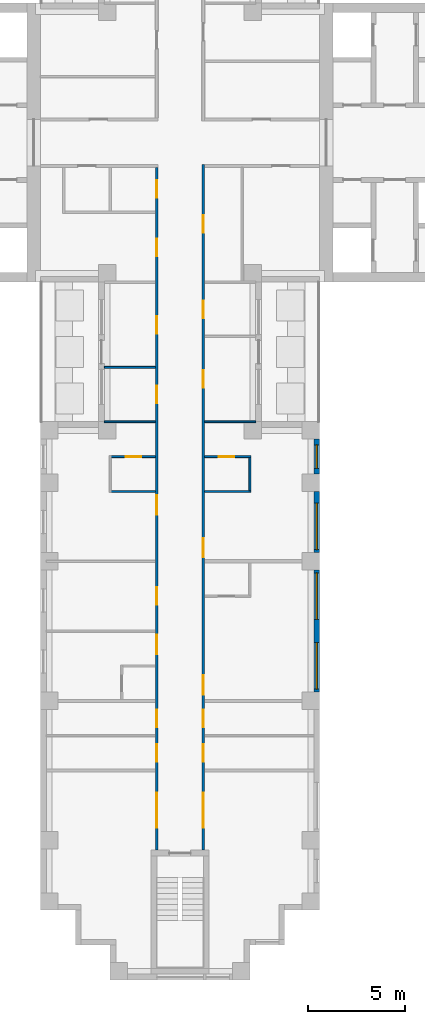
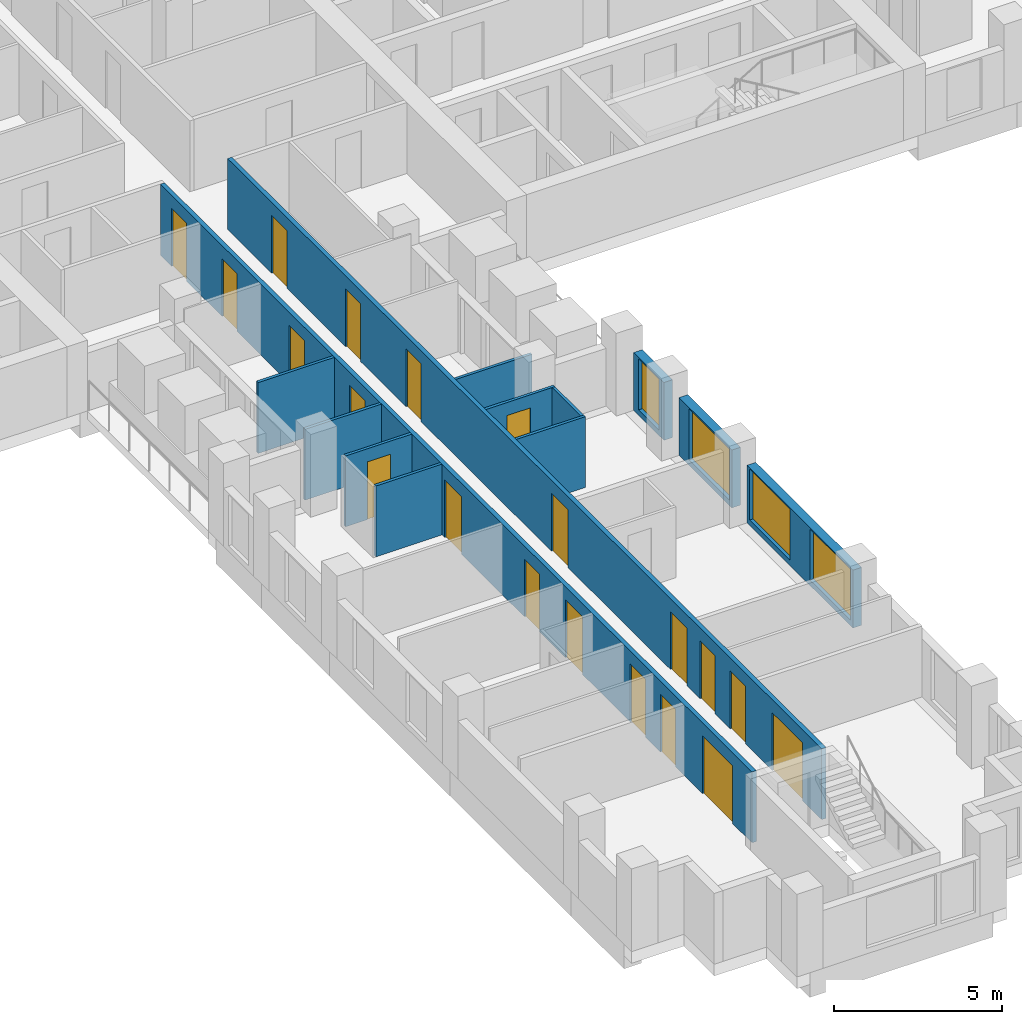
# One storey, part 4 of 15: 20 doors, 13 walls, 4 windows, 24 openings.
"""IFC4 building model written with IfcOpenShell, lengths in metres."""

import ifcopenshell
import ifcopenshell.guid

model = None  # the IFC model being written
_history = None  # IfcOwnerHistory: only IFC2X3 demands one
_inside = {}  # id of a spatial element -> (the spatial element, [elements in it])
_under = {}  # id of a project, library or spatial element -> (it, [spatial elements below it])
_declared = {}  # id of a project -> (the project, [libraries it declares])
_typed = {}  # id of a type object -> (the type object, [elements of that type])
_made_of = {}  # id of a material, layer set ... -> (it, [elements and type objects made of it])


def new_model(schema):
    """Start an empty IFC model of exactly this schema.

    Asked for "IFC4X3", IfcOpenShell would pick the latest addendum, in which some entities
    have other attributes; the version numbers below select the first issue.
    IFC2X3 requires an IfcOwnerHistory on every rooted entity: one is made here for all.
    """
    global model, _history
    if schema == "IFC4X3":
        model = ifcopenshell.file(schema_version=(4, 3, 0, 0))
    else:
        model = ifcopenshell.file(schema=schema)
    _inside.clear()
    _under.clear()
    _declared.clear()
    _typed.clear()
    _made_of.clear()
    _history = None
    if model.schema == "IFC2X3":
        org = make("IfcOrganization", Name="unknown")
        user = make(
            "IfcPersonAndOrganization",
            ThePerson=make("IfcPerson", FamilyName="unknown"),
            TheOrganization=org,
        )
        app = make(
            "IfcApplication",
            ApplicationDeveloper=org,
            Version="unknown",
            ApplicationFullName="unknown",
            ApplicationIdentifier="unknown",
        )
        _history = make(
            "IfcOwnerHistory",
            OwningUser=user,
            OwningApplication=app,
            ChangeAction="ADDED",
            CreationDate=0,
        )
    return model


def make(cls, **values):
    """One entity of the class cls with the attributes given. An attribute that is None is left unset."""
    return model.create_entity(
        cls, **{name: value for name, value in values.items() if value is not None}
    )


def rooted(cls, **values):
    """An entity with a GlobalId (a new one), such as an element, a storey or a relation."""
    return make(cls, GlobalId=ifcopenshell.guid.new(), OwnerHistory=_history, **values)


def si_unit(unit_type, name, prefix=None):
    """IfcSIUnit, for example si_unit("LENGTHUNIT", "METRE", prefix="MILLI")."""
    return make("IfcSIUnit", UnitType=unit_type, Prefix=prefix, Name=name)


def assignment(units):
    """IfcUnitAssignment: the units of a project."""
    return None if units is None else make("IfcUnitAssignment", Units=units)


def point(xyz):
    """IfcCartesianPoint."""
    return None if xyz is None else make("IfcCartesianPoint", Coordinates=xyz)


def direction(xyz):
    """IfcDirection."""
    return None if xyz is None else make("IfcDirection", DirectionRatios=xyz)


def frame(location, z_axis=None, x_axis=None):
    """IfcAxis2Placement3D, a coordinate frame: its origin and axes. An axis left out is left unset."""
    return make(
        "IfcAxis2Placement3D",
        Location=point(location),
        Axis=direction(z_axis),
        RefDirection=direction(x_axis),
    )


def frame_2d(location, x_axis=None):
    """IfcAxis2Placement2D, a coordinate frame in the plane: its origin and x axis."""
    return make(
        "IfcAxis2Placement2D", Location=point(location), RefDirection=direction(x_axis)
    )


def origin():
    """The frame at (0, 0, 0) with its axes left unset."""
    return frame((0.0, 0.0, 0.0))


def place(relative_to, where):
    """IfcLocalPlacement: puts the frame where relative to a parent placement (None: the world)."""
    return make(
        "IfcLocalPlacement", PlacementRelTo=relative_to, RelativePlacement=where
    )


def context(
    kind, dimensions, precision=None, world=None, true_north=None, identifier=None
):
    """IfcGeometricRepresentationContext, for example the 3D "Model" context."""
    return make(
        "IfcGeometricRepresentationContext",
        ContextIdentifier=identifier,
        ContextType=kind,
        CoordinateSpaceDimension=dimensions,
        Precision=precision,
        WorldCoordinateSystem=world,
        TrueNorth=true_north,
    )


def subcontext(parent, identifier, kind, view, scale=None):
    """IfcGeometricRepresentationSubContext, for example "Body" below "Model"."""
    return make(
        "IfcGeometricRepresentationSubContext",
        ContextIdentifier=identifier,
        ContextType=kind,
        ParentContext=parent,
        TargetScale=scale,
        TargetView=view,
    )


def project(units=None, contexts=None):
    """IfcProject with its units and contexts."""
    return rooted(
        "IfcProject",
        Name="project",
        RepresentationContexts=contexts,
        UnitsInContext=assignment(units),
    )


def spatial(cls, under=None, at=None, **own):
    """A site, building, storey or space (cls), placed at a placement, below another one or the project."""
    s = rooted(cls, ObjectPlacement=at, **own)
    if under is not None:
        _under.setdefault(under.id(), (under, []))[1].append(s)
    return s


def profile(cls, at=None, kind="AREA", **sizes):
    """A parametric profile (cls). Its sizes go by their IFC names, for example OverallWidth=200.0."""
    return make(cls, ProfileType=kind, Position=at, **sizes)


def rectangle(**sizes):
    """IfcRectangleProfileDef."""
    return profile("IfcRectangleProfileDef", **sizes)


def extrude(swept, where, along, depth):
    """IfcExtrudedAreaSolid: the profile swept, set in the frame where, extruded along a direction by depth."""
    return make(
        "IfcExtrudedAreaSolid",
        SweptArea=swept,
        Position=where,
        ExtrudedDirection=direction(along),
        Depth=depth,
    )


def shape(context_of_items, identifier, shape_type, items):
    """IfcShapeRepresentation: the items that make up one representation, for example the "Body"."""
    return make(
        "IfcShapeRepresentation",
        ContextOfItems=context_of_items,
        RepresentationIdentifier=identifier,
        RepresentationType=shape_type,
        Items=items,
    )


def material(Name=None, Category=None):
    """IfcMaterial."""
    return make("IfcMaterial", Name=Name, Category=Category)


def layer(
    of_material, thickness, ventilated=None, Name=None, Category=None, Priority=None
):
    """IfcMaterialLayer: one layer of a wall or slab, of a material (None: an air gap)."""
    return make(
        "IfcMaterialLayer",
        Material=of_material,
        LayerThickness=thickness,
        IsVentilated=ventilated,
        Name=Name,
        Category=Category,
        Priority=Priority,
    )


def layer_set(layers, Name=None):
    """IfcMaterialLayerSet."""
    return make("IfcMaterialLayerSet", MaterialLayers=layers, LayerSetName=Name)


def made_of(thing, what):
    """Note that an element or type object is made of a material, layer set ...; save() writes the relation."""
    if what is not None:
        _made_of.setdefault(what.id(), (what, []))[1].append(thing)
    return thing


def type_object(cls, material=None, **own):
    """A type object (cls), such as IfcWallType, which elements share."""
    return made_of(rooted(cls, **own), material)


def element(
    cls,
    number,
    at=None,
    inside=None,
    cuts=None,
    type_object=None,
    material=None,
    context=None,
    identifier="Body",
    shape_type=None,
    held_by="IfcProductDefinitionShape",
    body=None,
    shapes=None,
    **own,
):
    """One element of the class cls, such as IfcWall. Its Tag is "e" and its number.

    at: its placement. inside: the storey or other place that contains it. cuts: it is an
    opening in that element (IfcRelVoidsElement). A single representation is given by context,
    identifier, shape_type and body (its items); several are given by shapes. held_by: the class
    of the entity that holds the representations. save() writes the other relations.
    """
    e = rooted(cls, Tag="e%d" % number, ObjectPlacement=at, **own)
    if body is not None:
        shapes = [shape(context, identifier, shape_type, body)]
    if shapes is not None:
        e.Representation = make(held_by, Representations=shapes)
    if inside is not None:
        _inside.setdefault(inside.id(), (inside, []))[1].append(e)
    if cuts is not None:
        rooted(
            "IfcRelVoidsElement", RelatingBuildingElement=cuts, RelatedOpeningElement=e
        )
    if type_object is not None:
        _typed.setdefault(type_object.id(), (type_object, []))[1].append(e)
    return made_of(e, material)


def fill(opening, filler):
    """IfcRelFillsElement: the door or window that sits in an opening."""
    return rooted(
        "IfcRelFillsElement",
        RelatingOpeningElement=opening,
        RelatedBuildingElement=filler,
    )


def aggregate(whole, parts):
    """IfcRelAggregates: a whole, such as a stair, and the parts it consists of."""
    return rooted("IfcRelAggregates", RelatingObject=whole, RelatedObjects=parts)


def save(model, path):
    """Write the relations noted so far, then the file.

    IfcRelAggregates (storeys below a building ...), IfcRelContainedInSpatialStructure (elements
    in a storey), IfcRelDefinesByType, IfcRelAssociatesMaterial and IfcRelDeclares: one each for
    every whole, place, type object, material and project.
    """
    for whole, parts in _under.values():
        aggregate(whole, parts)
    for where, things in _inside.values():
        rooted(
            "IfcRelContainedInSpatialStructure",
            RelatedElements=things,
            RelatingStructure=where,
        )
    for kind, things in _typed.values():
        rooted("IfcRelDefinesByType", RelatedObjects=things, RelatingType=kind)
    for what, things in _made_of.values():
        rooted("IfcRelAssociatesMaterial", RelatedObjects=things, RelatingMaterial=what)
    for by, libraries in _declared.values():
        rooted("IfcRelDeclares", RelatingContext=by, RelatedDefinitions=libraries)
    model.write(path)


model = new_model("IFC4")

# Units and contexts
model_context = context("Model", 3, precision=1e-05, world=origin(), true_north=direction((0.0, 1.0)))
body_context = subcontext(model_context, "Body", "Model", "MODEL_VIEW")
ifc_project = project(units=[si_unit("LENGTHUNIT", "METRE"), si_unit("AREAUNIT", "SQUARE_METRE"), si_unit("VOLUMEUNIT", "CUBIC_METRE"), si_unit("PLANEANGLEUNIT", "RADIAN"), si_unit("MASSUNIT", "GRAM", prefix="KILO")], contexts=[model_context])

# Site, building, storey
site_placement = place(None, origin())
site = spatial("IfcSite", under=ifc_project, at=site_placement, CompositionType="ELEMENT")
building_placement = place(site_placement, origin())
building = spatial("IfcBuilding", under=site, at=building_placement, Name="Fustian Cross Tower", CompositionType="ELEMENT")
storey_placement = place(building_placement, frame((0.0, 0.0, 38.699951171875)))
storey = spatial("IfcBuildingStorey", under=building, at=storey_placement, Name="L11", CompositionType="ELEMENT", Elevation=38.699951171875)

# Wall, openings, doors
ifc_material_1 = material(Name="Plasterboard on steel stud", Category="steel")
ifc_layer_1 = layer(ifc_material_1, 0.14990234375)
ifc_layer_set_1 = layer_set([ifc_layer_1], Name="Plasterboard on steel stud")
wall_type_1 = type_object("IfcWallType", Name="COMPARTMENT WALL 150 EI 60", PredefinedType="PARTITIONING", material=ifc_layer_set_1)
wall_1_placement = place(storey_placement, frame((-1.199951171875, -36.5, 0.0), z_axis=(0.0, 0.0, 1.0), x_axis=(0.0, 1.0, 0.0)))
wall_1 = element("IfcWall", 1, at=wall_1_placement, inside=storey, type_object=wall_type_1, Name="Partition 38", PredefinedType="PARTITIONING", context=body_context, shape_type="SweptSolid", body=[
    extrude(rectangle(XDim=35.22509765625, YDim=0.14990234375, at=frame_2d((17.612548828125, 0.0))), origin(), (0.0, 0.0, 1.0), 2.574951171875),
])
opening_1_placement = place(wall_1_placement, frame((33.64990234375, 0.0, 0.0)))
opening_1 = element("IfcOpeningElement", 2, at=opening_1_placement, cuts=wall_1, Name="Opening D07007", PredefinedType="OPENING", context=body_context, shape_type="SweptSolid", body=[
    extrude(rectangle(XDim=0.89990234375, YDim=2.10009765625, at=frame_2d((0.449951171875, 1.050048828125))), frame((0.0, 0.0849609375, 0.0), z_axis=(0.0, -1.0, 0.0), x_axis=(1.0, 0.0, 0.0)), (0.0, 0.0, 1.0), 0.169921875),
])
opening_2_placement = place(wall_1_placement, frame((30.64990234375, 0.0, 0.0)))
opening_2 = element("IfcOpeningElement", 3, at=opening_2_placement, cuts=wall_1, Name="Opening D07009", PredefinedType="OPENING", context=body_context, shape_type="SweptSolid", body=[
    extrude(rectangle(XDim=0.89990234375, YDim=2.10009765625, at=frame_2d((0.449951171875, 1.050048828125))), frame((0.0, 0.0849609375, 0.0), z_axis=(0.0, -1.0, 0.0), x_axis=(1.0, 0.0, 0.0)), (0.0, 0.0, 1.0), 0.169921875),
])
opening_3_placement = place(wall_1_placement, frame((23.050048828125, 0.0, 0.0)))
opening_3 = element("IfcOpeningElement", 4, at=opening_3_placement, cuts=wall_1, Name="Opening D07058", PredefinedType="OPENING", context=body_context, shape_type="SweptSolid", body=[
    extrude(rectangle(XDim=0.89990234375, YDim=2.10009765625, at=frame_2d((0.449951171875, 1.050048828125))), frame((0.0, 0.0849609375, 0.0), z_axis=(0.0, -1.0, 0.0), x_axis=(1.0, 0.0, 0.0)), (0.0, 0.0, 1.0), 0.169921875),
])
opening_4_placement = place(wall_1_placement, frame((26.64990234375, 0.0, 0.0)))
opening_4 = element("IfcOpeningElement", 5, at=opening_4_placement, cuts=wall_1, Name="Opening D07059", PredefinedType="OPENING", context=body_context, shape_type="SweptSolid", body=[
    extrude(rectangle(XDim=0.89990234375, YDim=2.10009765625, at=frame_2d((0.449951171875, 1.050048828125))), frame((0.0, 0.0849609375, 0.0), z_axis=(0.0, -1.0, 0.0), x_axis=(1.0, 0.0, 0.0)), (0.0, 0.0, 1.0), 0.169921875),
])
opening_5_placement = place(wall_1_placement, frame((17.300048828125, 0.0, 0.0)))
opening_5 = element("IfcOpeningElement", 6, at=opening_5_placement, cuts=wall_1, Name="Opening D07061", PredefinedType="OPENING", context=body_context, shape_type="SweptSolid", body=[
    extrude(rectangle(XDim=1.0, YDim=2.10009765625, at=frame_2d((0.5, 1.050048828125))), frame((0.0, 0.0849609375, 0.0), z_axis=(0.0, -1.0, 0.0), x_axis=(1.0, 0.0, 0.0)), (0.0, 0.0, 1.0), 0.169921875),
])
opening_6_placement = place(wall_1_placement, frame((12.64990234375, 0.0, 0.0)))
opening_6 = element("IfcOpeningElement", 7, at=opening_6_placement, cuts=wall_1, Name="Opening D07062", PredefinedType="OPENING", context=body_context, shape_type="SweptSolid", body=[
    extrude(rectangle(XDim=0.89990234375, YDim=2.10009765625, at=frame_2d((0.449951171875, 1.050048828125))), frame((0.0, 0.0849609375, 0.0), z_axis=(0.0, -1.0, 0.0), x_axis=(1.0, 0.0, 0.0)), (0.0, 0.0, 1.0), 0.169921875),
])
opening_7_placement = place(wall_1_placement, frame((10.10009765625, 0.0, 0.0)))
opening_7 = element("IfcOpeningElement", 8, at=opening_7_placement, cuts=wall_1, Name="Opening D07064", PredefinedType="OPENING", context=body_context, shape_type="SweptSolid", body=[
    extrude(rectangle(XDim=1.0, YDim=2.10009765625, at=frame_2d((0.5, 1.050048828125))), frame((0.0, 0.0849609375, 0.0), z_axis=(0.0, -1.0, 0.0), x_axis=(1.0, 0.0, 0.0)), (0.0, 0.0, 1.0), 0.169921875),
])
opening_8_placement = place(wall_1_placement, frame((6.35009765625, 0.0, 0.0)))
opening_8 = element("IfcOpeningElement", 9, at=opening_8_placement, cuts=wall_1, Name="Opening D07065", PredefinedType="OPENING", context=body_context, shape_type="SweptSolid", body=[
    extrude(rectangle(XDim=0.89990234375, YDim=2.10009765625, at=frame_2d((0.449951171875, 1.050048828125))), frame((0.0, 0.0849609375, 0.0), z_axis=(0.0, -1.0, 0.0), x_axis=(1.0, 0.0, 0.0)), (0.0, 0.0, 1.0), 0.169921875),
])
opening_9_placement = place(wall_1_placement, frame((4.550048828125, 0.0, 0.0)))
opening_9 = element("IfcOpeningElement", 10, at=opening_9_placement, cuts=wall_1, Name="Opening D07066", PredefinedType="OPENING", context=body_context, shape_type="SweptSolid", body=[
    extrude(rectangle(XDim=0.89990234375, YDim=2.10009765625, at=frame_2d((0.449951171875, 1.050048828125))), frame((0.0, 0.0849609375, 0.0), z_axis=(0.0, -1.0, 0.0), x_axis=(1.0, 0.0, 0.0)), (0.0, 0.0, 1.0), 0.169921875),
])
opening_10_placement = place(wall_1_placement, frame((1.14990234375, 0.0, 0.0)))
opening_10 = element("IfcOpeningElement", 11, at=opening_10_placement, cuts=wall_1, Name="Opening D07067", PredefinedType="OPENING", context=body_context, shape_type="SweptSolid", body=[
    extrude(rectangle(XDim=1.800048828125, YDim=2.10009765625, at=frame_2d((0.89990234375, 1.050048828125))), frame((0.0, 0.0849609375, 0.0), z_axis=(0.0, -1.0, 0.0), x_axis=(1.0, 0.0, 0.0)), (0.0, 0.0, 1.0), 0.169921875),
])
ifc_material_2 = material(Name="Timber fire door set", Category="wood")
door_type_1 = type_object("IfcDoorType", Name="FIRE DOUBLE DOOR 1800 FD30S", OperationType="DOUBLE_DOOR_DOUBLE_SWING", PredefinedType="DOOR", material=ifc_material_2)
door_1_placement = place(opening_10_placement, frame((1.800048828125, 0.0, 0.0), z_axis=(0.0, 0.0, 1.0), x_axis=(-1.0, 0.0, 0.0)))
door_1 = element("IfcDoor", 12, at=door_1_placement, inside=storey, type_object=door_type_1, Name="Door D07067", OperationType="DOUBLE_DOOR_DOUBLE_SWING", OverallHeight=2.10009765625, OverallWidth=1.800048828125, PredefinedType="DOOR", context=body_context, shape_type="SweptSolid", body=[
    extrude(rectangle(XDim=1.800048828125, YDim=2.10009765625, at=frame_2d((0.89990234375, 1.050048828125))), frame((0.0, 0.02490234375, 0.0), z_axis=(0.0, -1.0, 0.0), x_axis=(1.0, 0.0, 0.0)), (0.0, 0.0, 1.0), 0.050048828125),
])
fill(opening_10, door_1)
ifc_material_3 = material(Name="Timber fire door set", Category="wood")
door_type_2 = type_object("IfcDoorType", Name="FIRE SWING DOOR 1000 FD30S", OperationType="SINGLE_SWING_LEFT", PredefinedType="DOOR", material=ifc_material_3)
door_2_placement = place(opening_5_placement, origin())
door_2 = element("IfcDoor", 13, at=door_2_placement, inside=storey, type_object=door_type_2, Name="Door D07061", OperationType="SINGLE_SWING_RIGHT", OverallHeight=2.10009765625, OverallWidth=1.0, PredefinedType="DOOR", context=body_context, shape_type="SweptSolid", body=[
    extrude(rectangle(XDim=1.0, YDim=2.10009765625, at=frame_2d((0.5, 1.050048828125))), frame((0.0, 0.02490234375, 0.0), z_axis=(0.0, -1.0, 0.0), x_axis=(1.0, 0.0, 0.0)), (0.0, 0.0, 1.0), 0.050048828125),
])
fill(opening_5, door_2)
door_3_placement = place(opening_7_placement, origin())
door_3 = element("IfcDoor", 14, at=door_3_placement, inside=storey, type_object=door_type_2, Name="Door D07064", OperationType="SINGLE_SWING_RIGHT", OverallHeight=2.10009765625, OverallWidth=1.0, PredefinedType="DOOR", context=body_context, shape_type="SweptSolid", body=[
    extrude(rectangle(XDim=1.0, YDim=2.10009765625, at=frame_2d((0.5, 1.050048828125))), frame((0.0, 0.02490234375, 0.0), z_axis=(0.0, -1.0, 0.0), x_axis=(1.0, 0.0, 0.0)), (0.0, 0.0, 1.0), 0.050048828125),
])
fill(opening_7, door_3)
ifc_material_4 = material(Name="Timber fire door set", Category="wood")
door_type_3 = type_object("IfcDoorType", Name="FIRE SWING DOOR 900 FD30S", OperationType="SINGLE_SWING_LEFT", PredefinedType="DOOR", material=ifc_material_4)
door_4_placement = place(opening_1_placement, origin())
door_4 = element("IfcDoor", 15, at=door_4_placement, inside=storey, type_object=door_type_3, Name="Door D07007", OperationType="SINGLE_SWING_LEFT", OverallHeight=2.10009765625, OverallWidth=0.89990234375, PredefinedType="DOOR", context=body_context, shape_type="SweptSolid", body=[
    extrude(rectangle(XDim=0.89990234375, YDim=2.10009765625, at=frame_2d((0.449951171875, 1.050048828125))), frame((0.0, 0.02490234375, 0.0), z_axis=(0.0, -1.0, 0.0), x_axis=(1.0, 0.0, 0.0)), (0.0, 0.0, 1.0), 0.050048828125),
])
fill(opening_1, door_4)
door_5_placement = place(opening_2_placement, origin())
door_5 = element("IfcDoor", 16, at=door_5_placement, inside=storey, type_object=door_type_3, Name="Door D07009", OperationType="SINGLE_SWING_LEFT", OverallHeight=2.10009765625, OverallWidth=0.89990234375, PredefinedType="DOOR", context=body_context, shape_type="SweptSolid", body=[
    extrude(rectangle(XDim=0.89990234375, YDim=2.10009765625, at=frame_2d((0.449951171875, 1.050048828125))), frame((0.0, 0.02490234375, 0.0), z_axis=(0.0, -1.0, 0.0), x_axis=(1.0, 0.0, 0.0)), (0.0, 0.0, 1.0), 0.050048828125),
])
fill(opening_2, door_5)
door_6_placement = place(opening_3_placement, origin())
door_6 = element("IfcDoor", 17, at=door_6_placement, inside=storey, type_object=door_type_3, Name="Door D07058", OperationType="SINGLE_SWING_LEFT", OverallHeight=2.10009765625, OverallWidth=0.89990234375, PredefinedType="DOOR", context=body_context, shape_type="SweptSolid", body=[
    extrude(rectangle(XDim=0.89990234375, YDim=2.10009765625, at=frame_2d((0.449951171875, 1.050048828125))), frame((0.0, 0.02490234375, 0.0), z_axis=(0.0, -1.0, 0.0), x_axis=(1.0, 0.0, 0.0)), (0.0, 0.0, 1.0), 0.050048828125),
])
fill(opening_3, door_6)
door_7_placement = place(opening_4_placement, origin())
door_7 = element("IfcDoor", 18, at=door_7_placement, inside=storey, type_object=door_type_3, Name="Door D07059", OperationType="SINGLE_SWING_LEFT", OverallHeight=2.10009765625, OverallWidth=0.89990234375, PredefinedType="DOOR", context=body_context, shape_type="SweptSolid", body=[
    extrude(rectangle(XDim=0.89990234375, YDim=2.10009765625, at=frame_2d((0.449951171875, 1.050048828125))), frame((0.0, 0.02490234375, 0.0), z_axis=(0.0, -1.0, 0.0), x_axis=(1.0, 0.0, 0.0)), (0.0, 0.0, 1.0), 0.050048828125),
])
fill(opening_4, door_7)
door_8_placement = place(opening_6_placement, origin())
door_8 = element("IfcDoor", 19, at=door_8_placement, inside=storey, type_object=door_type_3, Name="Door D07062", OperationType="SINGLE_SWING_LEFT", OverallHeight=2.10009765625, OverallWidth=0.89990234375, PredefinedType="DOOR", context=body_context, shape_type="SweptSolid", body=[
    extrude(rectangle(XDim=0.89990234375, YDim=2.10009765625, at=frame_2d((0.449951171875, 1.050048828125))), frame((0.0, 0.02490234375, 0.0), z_axis=(0.0, -1.0, 0.0), x_axis=(1.0, 0.0, 0.0)), (0.0, 0.0, 1.0), 0.050048828125),
])
fill(opening_6, door_8)
door_9_placement = place(opening_8_placement, origin())
door_9 = element("IfcDoor", 20, at=door_9_placement, inside=storey, type_object=door_type_3, Name="Door D07065", OperationType="SINGLE_SWING_RIGHT", OverallHeight=2.10009765625, OverallWidth=0.89990234375, PredefinedType="DOOR", context=body_context, shape_type="SweptSolid", body=[
    extrude(rectangle(XDim=0.89990234375, YDim=2.10009765625, at=frame_2d((0.449951171875, 1.050048828125))), frame((0.0, 0.02490234375, 0.0), z_axis=(0.0, -1.0, 0.0), x_axis=(1.0, 0.0, 0.0)), (0.0, 0.0, 1.0), 0.050048828125),
])
fill(opening_8, door_9)
door_10_placement = place(opening_9_placement, origin())
door_10 = element("IfcDoor", 21, at=door_10_placement, inside=storey, type_object=door_type_3, Name="Door D07066", OperationType="SINGLE_SWING_RIGHT", OverallHeight=2.10009765625, OverallWidth=0.89990234375, PredefinedType="DOOR", context=body_context, shape_type="SweptSolid", body=[
    extrude(rectangle(XDim=0.89990234375, YDim=2.10009765625, at=frame_2d((0.449951171875, 1.050048828125))), frame((0.0, 0.02490234375, 0.0), z_axis=(0.0, -1.0, 0.0), x_axis=(1.0, 0.0, 0.0)), (0.0, 0.0, 1.0), 0.050048828125),
])
fill(opening_9, door_10)

wall_2_placement = place(storey_placement, frame((1.199951171875, -36.5, 0.0), z_axis=(0.0, 0.0, 1.0), x_axis=(0.0, 1.0, 0.0)))
wall_2 = element("IfcWall", 22, at=wall_2_placement, inside=storey, type_object=wall_type_1, Name="Partition 40", PredefinedType="PARTITIONING", context=body_context, shape_type="SweptSolid", body=[
    extrude(rectangle(XDim=35.375, YDim=0.14990234375, at=frame_2d((17.6875, 0.0))), origin(), (0.0, 0.0, 1.0), 2.574951171875),
])
opening_11_placement = place(wall_2_placement, frame((31.85009765625, 0.0, 0.0)))
opening_11 = element("IfcOpeningElement", 23, at=opening_11_placement, cuts=wall_2, Name="Opening D07005", PredefinedType="OPENING", context=body_context, shape_type="SweptSolid", body=[
    extrude(rectangle(XDim=0.89990234375, YDim=2.10009765625, at=frame_2d((0.449951171875, 1.050048828125))), frame((0.0, 0.0849609375, 0.0), z_axis=(0.0, -1.0, 0.0), x_axis=(1.0, 0.0, 0.0)), (0.0, 0.0, 1.0), 0.169921875),
])
opening_12_placement = place(wall_2_placement, frame((27.449951171875, 0.0, 0.0)))
opening_12 = element("IfcOpeningElement", 24, at=opening_12_placement, cuts=wall_2, Name="Opening D07049", PredefinedType="OPENING", context=body_context, shape_type="SweptSolid", body=[
    extrude(rectangle(XDim=0.89990234375, YDim=2.10009765625, at=frame_2d((0.449951171875, 1.050048828125))), frame((0.0, 0.0849609375, 0.0), z_axis=(0.0, -1.0, 0.0), x_axis=(1.0, 0.0, 0.0)), (0.0, 0.0, 1.0), 0.169921875),
])
opening_13_placement = place(wall_2_placement, frame((23.85009765625, 0.0, 0.0)))
opening_13 = element("IfcOpeningElement", 25, at=opening_13_placement, cuts=wall_2, Name="Opening D07050", PredefinedType="OPENING", context=body_context, shape_type="SweptSolid", body=[
    extrude(rectangle(XDim=0.89990234375, YDim=2.10009765625, at=frame_2d((0.449951171875, 1.050048828125))), frame((0.0, 0.0849609375, 0.0), z_axis=(0.0, -1.0, 0.0), x_axis=(1.0, 0.0, 0.0)), (0.0, 0.0, 1.0), 0.169921875),
])
opening_14_placement = place(wall_2_placement, frame((15.10009765625, 0.0, 0.0)))
opening_14 = element("IfcOpeningElement", 26, at=opening_14_placement, cuts=wall_2, Name="Opening D07052", PredefinedType="OPENING", context=body_context, shape_type="SweptSolid", body=[
    extrude(rectangle(XDim=1.0, YDim=2.10009765625, at=frame_2d((0.5, 1.050048828125))), frame((0.0, 0.0849609375, 0.0), z_axis=(0.0, -1.0, 0.0), x_axis=(1.0, 0.0, 0.0)), (0.0, 0.0, 1.0), 0.169921875),
])
opening_15_placement = place(wall_2_placement, frame((8.010009765625, 0.0, 0.0)))
opening_15 = element("IfcOpeningElement", 27, at=opening_15_placement, cuts=wall_2, Name="Opening D07054", PredefinedType="OPENING", context=body_context, shape_type="SweptSolid", body=[
    extrude(rectangle(XDim=1.0, YDim=2.10009765625, at=frame_2d((0.5, 1.050048828125))), frame((0.0, 0.0849609375, 0.0), z_axis=(0.0, -1.0, 0.0), x_axis=(1.0, 0.0, 0.0)), (0.0, 0.0, 1.0), 0.169921875),
])
opening_16_placement = place(wall_2_placement, frame((6.35009765625, 0.0, 0.0)))
opening_16 = element("IfcOpeningElement", 28, at=opening_16_placement, cuts=wall_2, Name="Opening D07055", PredefinedType="OPENING", context=body_context, shape_type="SweptSolid", body=[
    extrude(rectangle(XDim=0.89990234375, YDim=2.10009765625, at=frame_2d((0.449951171875, 1.050048828125))), frame((0.0, 0.0849609375, 0.0), z_axis=(0.0, -1.0, 0.0), x_axis=(1.0, 0.0, 0.0)), (0.0, 0.0, 1.0), 0.169921875),
])
opening_17_placement = place(wall_2_placement, frame((4.550048828125, 0.0, 0.0)))
opening_17 = element("IfcOpeningElement", 29, at=opening_17_placement, cuts=wall_2, Name="Opening D07056", PredefinedType="OPENING", context=body_context, shape_type="SweptSolid", body=[
    extrude(rectangle(XDim=0.89990234375, YDim=2.10009765625, at=frame_2d((0.449951171875, 1.050048828125))), frame((0.0, 0.0849609375, 0.0), z_axis=(0.0, -1.0, 0.0), x_axis=(1.0, 0.0, 0.0)), (0.0, 0.0, 1.0), 0.169921875),
])
opening_18_placement = place(wall_2_placement, frame((1.14990234375, 0.0, 0.0)))
opening_18 = element("IfcOpeningElement", 30, at=opening_18_placement, cuts=wall_2, Name="Opening D07057", PredefinedType="OPENING", context=body_context, shape_type="SweptSolid", body=[
    extrude(rectangle(XDim=1.800048828125, YDim=2.10009765625, at=frame_2d((0.89990234375, 1.050048828125))), frame((0.0, 0.0849609375, 0.0), z_axis=(0.0, -1.0, 0.0), x_axis=(1.0, 0.0, 0.0)), (0.0, 0.0, 1.0), 0.169921875),
])
door_11_placement = place(opening_18_placement, origin())
door_11 = element("IfcDoor", 31, at=door_11_placement, inside=storey, type_object=door_type_1, Name="Door D07057", OperationType="DOUBLE_DOOR_DOUBLE_SWING", OverallHeight=2.10009765625, OverallWidth=1.800048828125, PredefinedType="DOOR", context=body_context, shape_type="SweptSolid", body=[
    extrude(rectangle(XDim=1.800048828125, YDim=2.10009765625, at=frame_2d((0.89990234375, 1.050048828125))), frame((0.0, 0.02490234375, 0.0), z_axis=(0.0, -1.0, 0.0), x_axis=(1.0, 0.0, 0.0)), (0.0, 0.0, 1.0), 0.050048828125),
])
fill(opening_18, door_11)
door_12_placement = place(opening_14_placement, frame((1.0, 0.0, 0.0), z_axis=(0.0, 0.0, 1.0), x_axis=(-1.0, 0.0, 0.0)))
door_12 = element("IfcDoor", 32, at=door_12_placement, inside=storey, type_object=door_type_2, Name="Door D07052", OperationType="SINGLE_SWING_RIGHT", OverallHeight=2.10009765625, OverallWidth=1.0, PredefinedType="DOOR", context=body_context, shape_type="SweptSolid", body=[
    extrude(rectangle(XDim=1.0, YDim=2.10009765625, at=frame_2d((0.5, 1.050048828125))), frame((0.0, 0.02490234375, 0.0), z_axis=(0.0, -1.0, 0.0), x_axis=(1.0, 0.0, 0.0)), (0.0, 0.0, 1.0), 0.050048828125),
])
fill(opening_14, door_12)
door_13_placement = place(opening_15_placement, frame((1.0, 0.0, 0.0), z_axis=(0.0, 0.0, 1.0), x_axis=(-1.0, 0.0, 0.0)))
door_13 = element("IfcDoor", 33, at=door_13_placement, inside=storey, type_object=door_type_2, Name="Door D07054", OperationType="SINGLE_SWING_RIGHT", OverallHeight=2.10009765625, OverallWidth=1.0, PredefinedType="DOOR", context=body_context, shape_type="SweptSolid", body=[
    extrude(rectangle(XDim=1.0, YDim=2.10009765625, at=frame_2d((0.5, 1.050048828125))), frame((0.0, 0.02490234375, 0.0), z_axis=(0.0, -1.0, 0.0), x_axis=(1.0, 0.0, 0.0)), (0.0, 0.0, 1.0), 0.050048828125),
])
fill(opening_15, door_13)
door_14_placement = place(opening_11_placement, frame((0.89990234375, 0.0, 0.0), z_axis=(0.0, 0.0, 1.0), x_axis=(-1.0, 0.0, 0.0)))
door_14 = element("IfcDoor", 34, at=door_14_placement, inside=storey, type_object=door_type_3, Name="Door D07005", OperationType="SINGLE_SWING_RIGHT", OverallHeight=2.10009765625, OverallWidth=0.89990234375, PredefinedType="DOOR", context=body_context, shape_type="SweptSolid", body=[
    extrude(rectangle(XDim=0.89990234375, YDim=2.10009765625, at=frame_2d((0.449951171875, 1.050048828125))), frame((0.0, 0.02490234375, 0.0), z_axis=(0.0, -1.0, 0.0), x_axis=(1.0, 0.0, 0.0)), (0.0, 0.0, 1.0), 0.050048828125),
])
fill(opening_11, door_14)
door_15_placement = place(opening_12_placement, frame((0.89990234375, 0.0, 0.0), z_axis=(0.0, 0.0, 1.0), x_axis=(-1.0, 0.0, 0.0)))
door_15 = element("IfcDoor", 35, at=door_15_placement, inside=storey, type_object=door_type_3, Name="Door D07049", OperationType="SINGLE_SWING_RIGHT", OverallHeight=2.10009765625, OverallWidth=0.89990234375, PredefinedType="DOOR", context=body_context, shape_type="SweptSolid", body=[
    extrude(rectangle(XDim=0.89990234375, YDim=2.10009765625, at=frame_2d((0.449951171875, 1.050048828125))), frame((0.0, 0.02490234375, 0.0), z_axis=(0.0, -1.0, 0.0), x_axis=(1.0, 0.0, 0.0)), (0.0, 0.0, 1.0), 0.050048828125),
])
fill(opening_12, door_15)
door_16_placement = place(opening_13_placement, frame((0.89990234375, 0.0, 0.0), z_axis=(0.0, 0.0, 1.0), x_axis=(-1.0, 0.0, 0.0)))
door_16 = element("IfcDoor", 36, at=door_16_placement, inside=storey, type_object=door_type_3, Name="Door D07050", OperationType="SINGLE_SWING_RIGHT", OverallHeight=2.10009765625, OverallWidth=0.89990234375, PredefinedType="DOOR", context=body_context, shape_type="SweptSolid", body=[
    extrude(rectangle(XDim=0.89990234375, YDim=2.10009765625, at=frame_2d((0.449951171875, 1.050048828125))), frame((0.0, 0.02490234375, 0.0), z_axis=(0.0, -1.0, 0.0), x_axis=(1.0, 0.0, 0.0)), (0.0, 0.0, 1.0), 0.050048828125),
])
fill(opening_13, door_16)
door_17_placement = place(opening_16_placement, frame((0.89990234375, 0.0, 0.0), z_axis=(0.0, 0.0, 1.0), x_axis=(-1.0, 0.0, 0.0)))
door_17 = element("IfcDoor", 37, at=door_17_placement, inside=storey, type_object=door_type_3, Name="Door D07055", OperationType="SINGLE_SWING_LEFT", OverallHeight=2.10009765625, OverallWidth=0.89990234375, PredefinedType="DOOR", context=body_context, shape_type="SweptSolid", body=[
    extrude(rectangle(XDim=0.89990234375, YDim=2.10009765625, at=frame_2d((0.449951171875, 1.050048828125))), frame((0.0, 0.02490234375, 0.0), z_axis=(0.0, -1.0, 0.0), x_axis=(1.0, 0.0, 0.0)), (0.0, 0.0, 1.0), 0.050048828125),
])
fill(opening_16, door_17)
door_18_placement = place(opening_17_placement, frame((0.89990234375, 0.0, 0.0), z_axis=(0.0, 0.0, 1.0), x_axis=(-1.0, 0.0, 0.0)))
door_18 = element("IfcDoor", 38, at=door_18_placement, inside=storey, type_object=door_type_3, Name="Door D07056", OperationType="SINGLE_SWING_LEFT", OverallHeight=2.10009765625, OverallWidth=0.89990234375, PredefinedType="DOOR", context=body_context, shape_type="SweptSolid", body=[
    extrude(rectangle(XDim=0.89990234375, YDim=2.10009765625, at=frame_2d((0.449951171875, 1.050048828125))), frame((0.0, 0.02490234375, 0.0), z_axis=(0.0, -1.0, 0.0), x_axis=(1.0, 0.0, 0.0)), (0.0, 0.0, 1.0), 0.050048828125),
])
fill(opening_17, door_18)

# Walls
ifc_material_5 = material(Name="Plasterboard on steel stud", Category="steel")
ifc_layer_2 = layer(ifc_material_5, 0.10009765625)
ifc_layer_set_2 = layer_set([ifc_layer_2], Name="Plasterboard on steel stud")
wall_type_2 = type_object("IfcWallType", Name="PARTITION 100 STUD", PredefinedType="PARTITIONING", material=ifc_layer_set_2)
for number, where, z_axis, x_axis, name in (
    (39, (-3.89990234375, -14.39990234375, 0.0), (0.0, 0.0, 1.0), (1.0, 0.0, 0.0), "Partition 24"),
    (40, (-3.89990234375, -11.60009765625, 0.0), (0.0, 0.0, 1.0), (1.0, 0.0, 0.0), "Partition 25"),
):
    element("IfcWall", number, at=place(storey_placement, frame(where, z_axis=z_axis, x_axis=x_axis)), inside=storey, type_object=wall_type_2, Name=name, PredefinedType="PARTITIONING", context=body_context, shape_type="SweptSolid", body=[
        extrude(rectangle(XDim=2.625, YDim=0.10009765625, at=frame_2d((1.3125, 0.0))), origin(), (0.0, 0.0, 1.0), 2.574951171875),
    ])
wall_3_placement = place(storey_placement, frame((-3.550048828125, -18.0, 0.0), z_axis=(0.0, 0.0, 1.0), x_axis=(1.0, 0.0, 0.0)))
element("IfcWall", 41, at=wall_3_placement, inside=storey, type_object=wall_type_2, Name="Partition 30", PredefinedType="PARTITIONING", context=body_context, shape_type="SweptSolid", body=[
    extrude(rectangle(XDim=2.275146484375, YDim=0.10009765625, at=frame_2d((1.1376953125, 0.0))), origin(), (0.0, 0.0, 1.0), 2.574951171875),
])

# Wall, opening, door
wall_4_placement = place(storey_placement, frame((-3.550048828125, -16.199951171875, 0.0), z_axis=(0.0, 0.0, 1.0), x_axis=(1.0, 0.0, 0.0)))
wall_4 = element("IfcWall", 42, at=wall_4_placement, inside=storey, type_object=wall_type_2, Name="Partition 31", PredefinedType="PARTITIONING", context=body_context, shape_type="SweptSolid", body=[
    extrude(rectangle(XDim=2.275146484375, YDim=0.10009765625, at=frame_2d((1.1376953125, 0.0))), origin(), (0.0, 0.0, 1.0), 2.574951171875),
])
opening_19_placement = place(wall_4_placement, frame((0.75, 0.0, 0.0)))
opening_19 = element("IfcOpeningElement", 43, at=opening_19_placement, cuts=wall_4, Name="Opening D07060", PredefinedType="OPENING", context=body_context, shape_type="SweptSolid", body=[
    extrude(rectangle(XDim=0.800048828125, YDim=2.10009765625, at=frame_2d((0.39990234375, 1.050048828125))), frame((0.0, 0.06005859375, 0.0), z_axis=(0.0, -1.0, 0.0), x_axis=(1.0, 0.0, 0.0)), (0.0, 0.0, 1.0), 0.1201171875),
])
ifc_material_6 = material(Name="Painted timber", Category="wood")
door_type_4 = type_object("IfcDoorType", Name="SWING DOOR 800", OperationType="SINGLE_SWING_LEFT", PredefinedType="DOOR", material=ifc_material_6)
door_19_placement = place(opening_19_placement, frame((0.800048828125, 0.0, 0.0), z_axis=(0.0, 0.0, 1.0), x_axis=(-1.0, 0.0, 0.0)))
door_19 = element("IfcDoor", 44, at=door_19_placement, inside=storey, type_object=door_type_4, Name="Door D07060", OperationType="SINGLE_SWING_RIGHT", OverallHeight=2.10009765625, OverallWidth=0.800048828125, PredefinedType="DOOR", context=body_context, shape_type="SweptSolid", body=[
    extrude(rectangle(XDim=0.800048828125, YDim=2.10009765625, at=frame_2d((0.39990234375, 1.050048828125))), frame((0.0, 0.02490234375, 0.0), z_axis=(0.0, -1.0, 0.0), x_axis=(1.0, 0.0, 0.0)), (0.0, 0.0, 1.0), 0.050048828125),
])
fill(opening_19, door_19)

# Wall
wall_5_placement = place(storey_placement, frame((1.27490234375, -18.0, 0.0), z_axis=(0.0, 0.0, 1.0), x_axis=(1.0, 0.0, 0.0)))
element("IfcWall", 45, at=wall_5_placement, inside=storey, type_object=wall_type_2, Name="Partition 46", PredefinedType="PARTITIONING", context=body_context, shape_type="SweptSolid", body=[
    extrude(rectangle(XDim=2.375, YDim=0.10009765625, at=frame_2d((1.1875, 0.0))), origin(), (0.0, 0.0, 1.0), 2.574951171875),
])

# Wall, opening, door
wall_6_placement = place(storey_placement, frame((1.27490234375, -16.199951171875, 0.0), z_axis=(0.0, 0.0, 1.0), x_axis=(1.0, 0.0, 0.0)))
wall_6 = element("IfcWall", 46, at=wall_6_placement, inside=storey, type_object=wall_type_2, Name="Partition 47", PredefinedType="PARTITIONING", context=body_context, shape_type="SweptSolid", body=[
    extrude(rectangle(XDim=2.375, YDim=0.10009765625, at=frame_2d((1.1875, 0.0))), origin(), (0.0, 0.0, 1.0), 2.574951171875),
])
opening_20_placement = place(wall_6_placement, frame((0.72509765625, 0.0, 0.0)))
opening_20 = element("IfcOpeningElement", 47, at=opening_20_placement, cuts=wall_6, Name="Opening D07051", PredefinedType="OPENING", context=body_context, shape_type="SweptSolid", body=[
    extrude(rectangle(XDim=0.800048828125, YDim=2.10009765625, at=frame_2d((0.39990234375, 1.050048828125))), frame((0.0, 0.06005859375, 0.0), z_axis=(0.0, -1.0, 0.0), x_axis=(1.0, 0.0, 0.0)), (0.0, 0.0, 1.0), 0.1201171875),
])
door_20_placement = place(opening_20_placement, frame((0.800048828125, 0.0, 0.0), z_axis=(0.0, 0.0, 1.0), x_axis=(-1.0, 0.0, 0.0)))
door_20 = element("IfcDoor", 48, at=door_20_placement, inside=storey, type_object=door_type_4, Name="Door D07051", OperationType="SINGLE_SWING_RIGHT", OverallHeight=2.10009765625, OverallWidth=0.800048828125, PredefinedType="DOOR", context=body_context, shape_type="SweptSolid", body=[
    extrude(rectangle(XDim=0.800048828125, YDim=2.10009765625, at=frame_2d((0.39990234375, 1.050048828125))), frame((0.0, 0.02490234375, 0.0), z_axis=(0.0, -1.0, 0.0), x_axis=(1.0, 0.0, 0.0)), (0.0, 0.0, 1.0), 0.050048828125),
])
fill(opening_20, door_20)

# Walls
wall_7_placement = place(storey_placement, frame((1.27490234375, -14.39990234375, 0.0), z_axis=(0.0, 0.0, 1.0), x_axis=(1.0, 0.0, 0.0)))
element("IfcWall", 49, at=wall_7_placement, inside=storey, type_object=wall_type_2, Name="Partition 48", PredefinedType="PARTITIONING", context=body_context, shape_type="SweptSolid", body=[
    extrude(rectangle(XDim=2.625, YDim=0.10009765625, at=frame_2d((1.3125, 0.0))), origin(), (0.0, 0.0, 1.0), 2.574951171875),
])
wall_8_placement = place(storey_placement, frame((3.60009765625, -17.949951171875, 0.0), z_axis=(0.0, 0.0, 1.0), x_axis=(0.0, 1.0, 0.0)))
element("IfcWall", 50, at=wall_8_placement, inside=storey, type_object=wall_type_2, Name="Partition 72", PredefinedType="PARTITIONING", context=body_context, shape_type="SweptSolid", body=[
    extrude(rectangle(XDim=1.699951171875, YDim=0.10009765625, at=frame_2d((0.85009765625, 0.0))), origin(), (0.0, 0.0, 1.0), 2.574951171875),
])

# Wall, openings, windows
ifc_material_7 = material(Name="Dark aluminium cladding on insulated backing wall", Category="aluminium")
ifc_layer_3 = layer(ifc_material_7, 0.300048828125)
ifc_layer_set_3 = layer_set([ifc_layer_3], Name="Dark aluminium cladding on insulated backing wall")
wall_type_3 = type_object("IfcWallType", Name="XW1 EXTERNAL WALL 300", PredefinedType="SOLIDWALL", material=ifc_layer_set_3)
wall_9_placement = place(storey_placement, frame((7.050048828125, -28.35009765625, 0.0), z_axis=(0.0, 0.0, 1.0), x_axis=(0.0, 1.0, 0.0)))
wall_9 = element("IfcWall", 51, at=wall_9_placement, inside=storey, type_object=wall_type_3, Name="External wall", PredefinedType="SOLIDWALL", context=body_context, shape_type="SweptSolid", body=[
    extrude(rectangle(XDim=6.300048828125, YDim=0.300048828125, at=frame_2d((3.14990234375, 0.0))), origin(), (0.0, 0.0, 1.0), 2.10009765625),
])
opening_21_placement = place(wall_9_placement, frame((0.14990234375, 0.0, 0.199951171875)))
opening_21 = element("IfcOpeningElement", 52, at=opening_21_placement, cuts=wall_9, Name="Opening WN1", PredefinedType="OPENING", context=body_context, shape_type="SweptSolid", body=[
    extrude(rectangle(XDim=2.39990234375, YDim=1.85009765625, at=frame_2d((1.199951171875, 0.925048828125))), frame((0.0, 0.159912109375, 0.0), z_axis=(0.0, -1.0, 0.0), x_axis=(1.0, 0.0, 0.0)), (0.0, 0.0, 1.0), 0.320068359375),
])
opening_22_placement = place(wall_9_placement, frame((3.75, 0.0, 0.199951171875)))
opening_22 = element("IfcOpeningElement", 53, at=opening_22_placement, cuts=wall_9, Name="Opening WN1", PredefinedType="OPENING", context=body_context, shape_type="SweptSolid", body=[
    extrude(rectangle(XDim=2.39990234375, YDim=1.85009765625, at=frame_2d((1.199951171875, 0.925048828125))), frame((0.0, 0.159912109375, 0.0), z_axis=(0.0, -1.0, 0.0), x_axis=(1.0, 0.0, 0.0)), (0.0, 0.0, 1.0), 0.320068359375),
])
ifc_material_8 = material(Name="Dark anodised aluminium and double glazing", Category="aluminium")
window_type_1 = type_object("IfcWindowType", Name="WN1 WINDOW 2400X1850", PartitioningType="SINGLE_PANEL", PredefinedType="WINDOW", material=ifc_material_8)
window_1_placement = place(opening_21_placement, origin())
window_1 = element("IfcWindow", 54, at=window_1_placement, inside=storey, type_object=window_type_1, Name="Window", OverallHeight=1.85009765625, OverallWidth=2.39990234375, PartitioningType="SINGLE_PANEL", PredefinedType="WINDOW", context=body_context, shape_type="SweptSolid", body=[
    extrude(rectangle(XDim=2.39990234375, YDim=1.85009765625, at=frame_2d((1.199951171875, 0.925048828125))), frame((0.0, 0.030029296875, 0.0), z_axis=(0.0, -1.0, 0.0), x_axis=(1.0, 0.0, 0.0)), (0.0, 0.0, 1.0), 0.06005859375),
])
fill(opening_21, window_1)
window_2_placement = place(opening_22_placement, origin())
window_2 = element("IfcWindow", 55, at=window_2_placement, inside=storey, type_object=window_type_1, Name="Window", OverallHeight=1.85009765625, OverallWidth=2.39990234375, PartitioningType="SINGLE_PANEL", PredefinedType="WINDOW", context=body_context, shape_type="SweptSolid", body=[
    extrude(rectangle(XDim=2.39990234375, YDim=1.85009765625, at=frame_2d((1.199951171875, 0.925048828125))), frame((0.0, 0.030029296875, 0.0), z_axis=(0.0, -1.0, 0.0), x_axis=(1.0, 0.0, 0.0)), (0.0, 0.0, 1.0), 0.06005859375),
])
fill(opening_22, window_2)

# Wall, opening, window
wall_10_placement = place(storey_placement, frame((7.050048828125, -21.14990234375, 0.0), z_axis=(0.0, 0.0, 1.0), x_axis=(0.0, 1.0, 0.0)))
wall_10 = element("IfcWall", 56, at=wall_10_placement, inside=storey, type_object=wall_type_3, Name="External wall", PredefinedType="SOLIDWALL", context=body_context, shape_type="SweptSolid", body=[
    extrude(rectangle(XDim=3.14990234375, YDim=0.300048828125, at=frame_2d((1.574951171875, 0.0))), origin(), (0.0, 0.0, 1.0), 2.10009765625),
])
opening_23_placement = place(wall_10_placement, frame((0.14990234375, 0.0, 0.199951171875)))
opening_23 = element("IfcOpeningElement", 57, at=opening_23_placement, cuts=wall_10, Name="Opening WN1", PredefinedType="OPENING", context=body_context, shape_type="SweptSolid", body=[
    extrude(rectangle(XDim=2.39990234375, YDim=1.85009765625, at=frame_2d((1.199951171875, 0.925048828125))), frame((0.0, 0.159912109375, 0.0), z_axis=(0.0, -1.0, 0.0), x_axis=(1.0, 0.0, 0.0)), (0.0, 0.0, 1.0), 0.320068359375),
])
window_3_placement = place(opening_23_placement, origin())
window_3 = element("IfcWindow", 58, at=window_3_placement, inside=storey, type_object=window_type_1, Name="Window", OverallHeight=1.85009765625, OverallWidth=2.39990234375, PartitioningType="SINGLE_PANEL", PredefinedType="WINDOW", context=body_context, shape_type="SweptSolid", body=[
    extrude(rectangle(XDim=2.39990234375, YDim=1.85009765625, at=frame_2d((1.199951171875, 0.925048828125))), frame((0.0, 0.030029296875, 0.0), z_axis=(0.0, -1.0, 0.0), x_axis=(1.0, 0.0, 0.0)), (0.0, 0.0, 1.0), 0.06005859375),
])
fill(opening_23, window_3)

wall_11_placement = place(storey_placement, frame((7.050048828125, -17.10009765625, 0.0), z_axis=(0.0, 0.0, 1.0), x_axis=(0.0, 1.0, 0.0)))
wall_11 = element("IfcWall", 59, at=wall_11_placement, inside=storey, type_object=wall_type_3, Name="External wall", PredefinedType="SOLIDWALL", context=body_context, shape_type="SweptSolid", body=[
    extrude(rectangle(XDim=1.800048828125, YDim=0.300048828125, at=frame_2d((0.89990234375, 0.0))), origin(), (0.0, 0.0, 1.0), 2.10009765625),
])
opening_24_placement = place(wall_11_placement, frame((0.300048828125, 0.0, 0.199951171875)))
opening_24 = element("IfcOpeningElement", 60, at=opening_24_placement, cuts=wall_11, Name="Opening WN3", PredefinedType="OPENING", context=body_context, shape_type="SweptSolid", body=[
    extrude(rectangle(XDim=1.199951171875, YDim=1.85009765625, at=frame_2d((0.60009765625, 0.925048828125))), frame((0.0, 0.159912109375, 0.0), z_axis=(0.0, -1.0, 0.0), x_axis=(1.0, 0.0, 0.0)), (0.0, 0.0, 1.0), 0.320068359375),
])
ifc_material_9 = material(Name="Dark anodised aluminium and double glazing", Category="aluminium")
window_type_2 = type_object("IfcWindowType", Name="WN3 WINDOW 1200X1850", PartitioningType="SINGLE_PANEL", PredefinedType="WINDOW", material=ifc_material_9)
window_4_placement = place(opening_24_placement, origin())
window_4 = element("IfcWindow", 61, at=window_4_placement, inside=storey, type_object=window_type_2, Name="Window", OverallHeight=1.85009765625, OverallWidth=1.199951171875, PartitioningType="SINGLE_PANEL", PredefinedType="WINDOW", context=body_context, shape_type="SweptSolid", body=[
    extrude(rectangle(XDim=1.199951171875, YDim=1.85009765625, at=frame_2d((0.60009765625, 0.925048828125))), frame((0.0, 0.030029296875, 0.0), z_axis=(0.0, -1.0, 0.0), x_axis=(1.0, 0.0, 0.0)), (0.0, 0.0, 1.0), 0.06005859375),
])
fill(opening_24, window_4)

save(model, "model.ifc")
